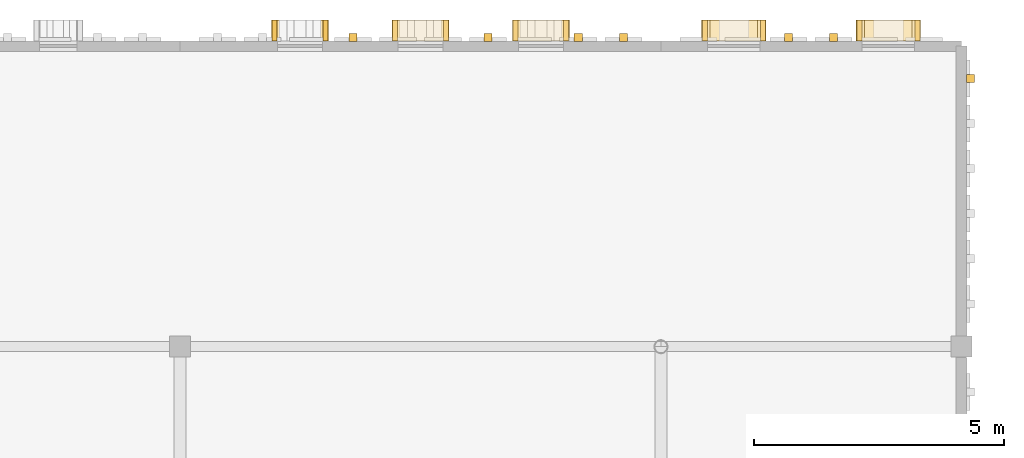
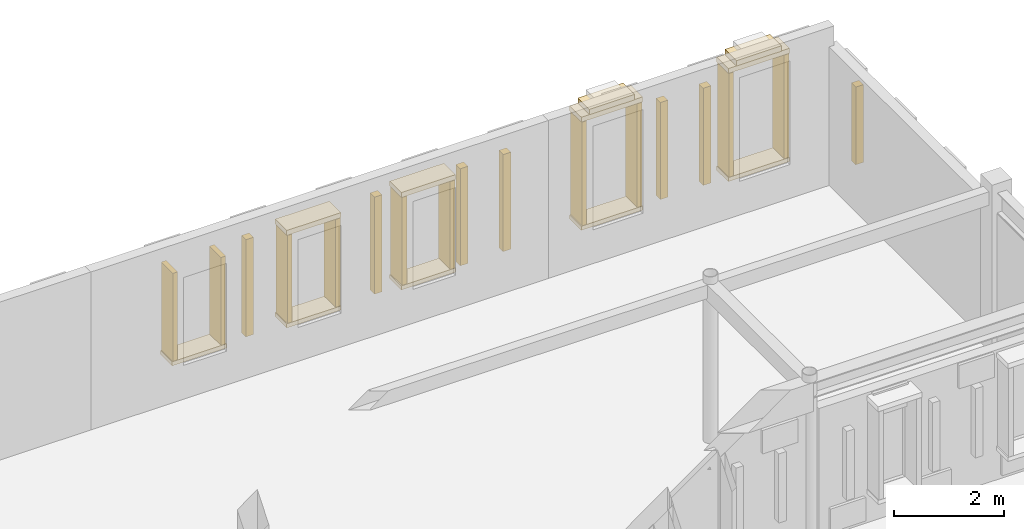
# One storey, part 23 of 25: 28 coverings.
"""IFC4 building model written with IfcOpenShell, lengths in metres."""

from ifc_helpers import new_model, si_unit, direction, frame, origin, origin_2d, place, context, subcontext, project, spatial, rectangle, extrude, material, layer, layer_set, type_object, element, save


model = new_model("IFC4")

# Units and contexts
model_context = context("Model", 3, precision=1e-05, world=origin(), true_north=direction((0.0, 1.0)))
body_context = subcontext(model_context, "Body", "Model", "MODEL_VIEW")
ifc_project = project(units=[si_unit("LENGTHUNIT", "METRE"), si_unit("AREAUNIT", "SQUARE_METRE"), si_unit("VOLUMEUNIT", "CUBIC_METRE"), si_unit("PLANEANGLEUNIT", "RADIAN"), si_unit("MASSUNIT", "GRAM", prefix="KILO")], contexts=[model_context])

# Site, building, storey
site_placement = place(None, origin())
site = spatial("IfcSite", under=ifc_project, at=site_placement, CompositionType="ELEMENT")
building_placement = place(site_placement, origin())
building = spatial("IfcBuilding", under=site, at=building_placement, Name="Nzembalo Square Collegiate School", CompositionType="ELEMENT")
storey_placement = place(building_placement, frame((0.0, 0.0, 21.080078125)))
storey = spatial("IfcBuildingStorey", under=building, at=storey_placement, Name="L05", CompositionType="ELEMENT", Elevation=21.080078125)

# Coverings
ifc_material_1 = material(Name="Glazed ochre ceramic lancet rib")
ifc_layer_1 = layer(ifc_material_1, 0.159912109375, Name="Glazed ochre ceramic lancet rib")
ifc_layer_set_1 = layer_set([ifc_layer_1], Name="Glazed ochre ceramic lancet rib")
covering_type_1 = type_object("IfcCoveringType", Name="CL02", PredefinedType="CLADDING", material=ifc_layer_set_1)
for number, where, z_axis, x_axis, name in (
    (1, (153.449951171875, 88.9775390625, 0.759765625), (0.0, 0.0, 1.0), (1.0, 0.0, 0.0), "Gothic ceramic rib CL02-X0297-3"),
    (2, (156.14990234375, 88.9775390625, 0.759765625), (0.0, 0.0, 1.0), (1.0, 0.0, 0.0), "Gothic ceramic rib CL02-X0297-6"),
    (3, (157.949951171875, 88.9775390625, 0.759765625), (0.0, 0.0, 1.0), (1.0, 0.0, 0.0), "Gothic ceramic rib CL02-X0297-8"),
    (4, (158.85009765625, 88.9775390625, 0.759765625), (0.0, 0.0, 1.0), (1.0, 0.0, 0.0), "Gothic ceramic rib CL02-X0297-9"),
    (5, (162.14990234375, 88.9775390625, 0.759765625), (0.0, 0.0, 1.0), (1.0, 0.0, 0.0), "Gothic ceramic rib CL02-X0298-2"),
    (6, (163.050048828125, 88.9775390625, 0.759765625), (0.0, 0.0, 1.0), (1.0, 0.0, 0.0), "Gothic ceramic rib CL02-X0298-3"),
):
    element("IfcCovering", number, at=place(storey_placement, frame(where, z_axis=z_axis, x_axis=x_axis)), inside=storey, type_object=covering_type_1, Name=name, PredefinedType="CLADDING", context=body_context, shape_type="SweptSolid", body=[
        extrude(rectangle(XDim=0.159912109375, YDim=0.159912109375, at=origin_2d()), origin(), (0.0, 0.0, 1.0), 2.154052734375),
    ])
covering_1_placement = place(storey_placement, frame((165.777587890625, 88.156005859375, 0.759765625), z_axis=(0.0, 0.0, 1.0), x_axis=(1.0, 0.0, 0.0)))
element("IfcCovering", 7, at=covering_1_placement, inside=storey, type_object=covering_type_1, Name="Gothic ceramic rib CL02-Y0300-5", PredefinedType="CLADDING", context=body_context, shape_type="SweptSolid", body=[
    extrude(rectangle(XDim=0.159912109375, YDim=0.159912109375, at=origin_2d()), origin(), (0.0, 0.0, 1.0), 1.72412109375),
])
ifc_material_2 = material(Name="Glazed celadon ceramic window frame")
ifc_layer_2 = layer(ifc_material_2, 0.419921875, Name="Glazed celadon ceramic window frame")
ifc_layer_set_2 = layer_set([ifc_layer_2], Name="Glazed celadon ceramic window frame")
covering_type_2 = type_object("IfcCoveringType", Name="WF01", PredefinedType="CLADDING", material=ifc_layer_set_2)
covering_2_placement = place(storey_placement, frame((152.39501953125, 89.112548828125, 0.65478515625), z_axis=(0.0, 0.0, 1.0), x_axis=(1.0, 0.0, 0.0)))
element("IfcCovering", 8, at=covering_2_placement, inside=storey, type_object=covering_type_2, Name="Deep lancet window sill WF01-1117", PredefinedType="CLADDING", context=body_context, shape_type="SweptSolid", body=[
    extrude(rectangle(XDim=1.139892578125, YDim=0.419921875, at=origin_2d()), origin(), (0.0, 0.0, 1.0), 0.090087890625),
])
for number, where, z_axis, x_axis, name in (
    (9, (151.889892578125, 89.112548828125, 0.75), (0.0, 0.0, 1.0), (1.0, 0.0, 0.0), "Deep lancet window jamb WF01-1117L"),
    (10, (152.89990234375, 89.112548828125, 0.75), (0.0, 0.0, 1.0), (1.0, 0.0, 0.0), "Deep lancet window jamb WF01-1117R"),
):
    element("IfcCovering", number, at=place(storey_placement, frame(where, z_axis=z_axis, x_axis=x_axis)), inside=storey, type_object=covering_type_2, Name=name, PredefinedType="CLADDING", context=body_context, shape_type="SweptSolid", body=[
        extrude(rectangle(XDim=0.10009765625, YDim=0.419921875, at=origin_2d()), origin(), (0.0, 0.0, 1.0), 1.949951171875),
    ])
covering_3_placement = place(storey_placement, frame((154.800048828125, 89.112548828125, 2.705078125), z_axis=(0.0, 0.0, 1.0), x_axis=(1.0, 0.0, 0.0)))
element("IfcCovering", 11, at=covering_3_placement, inside=storey, type_object=covering_type_2, Name="Deep lancet window hood WF01-1118", PredefinedType="CLADDING", context=body_context, shape_type="SweptSolid", body=[
    extrude(rectangle(XDim=1.139892578125, YDim=0.419921875, at=origin_2d()), origin(), (0.0, 0.0, 1.0), 0.110107421875),
])
covering_4_placement = place(storey_placement, frame((154.800048828125, 89.112548828125, 0.65478515625), z_axis=(0.0, 0.0, 1.0), x_axis=(1.0, 0.0, 0.0)))
element("IfcCovering", 12, at=covering_4_placement, inside=storey, type_object=covering_type_2, Name="Deep lancet window sill WF01-1118", PredefinedType="CLADDING", context=body_context, shape_type="SweptSolid", body=[
    extrude(rectangle(XDim=1.139892578125, YDim=0.419921875, at=origin_2d()), origin(), (0.0, 0.0, 1.0), 0.090087890625),
])
for number, where, z_axis, x_axis, name in (
    (13, (154.294921875, 89.112548828125, 0.75), (0.0, 0.0, 1.0), (1.0, 0.0, 0.0), "Deep lancet window jamb WF01-1118L"),
    (14, (155.304931640625, 89.112548828125, 0.75), (0.0, 0.0, 1.0), (1.0, 0.0, 0.0), "Deep lancet window jamb WF01-1118R"),
):
    element("IfcCovering", number, at=place(storey_placement, frame(where, z_axis=z_axis, x_axis=x_axis)), inside=storey, type_object=covering_type_2, Name=name, PredefinedType="CLADDING", context=body_context, shape_type="SweptSolid", body=[
        extrude(rectangle(XDim=0.10009765625, YDim=0.419921875, at=origin_2d()), origin(), (0.0, 0.0, 1.0), 1.949951171875),
    ])
covering_5_placement = place(storey_placement, frame((157.205078125, 89.112548828125, 2.705078125), z_axis=(0.0, 0.0, 1.0), x_axis=(1.0, 0.0, 0.0)))
element("IfcCovering", 15, at=covering_5_placement, inside=storey, type_object=covering_type_2, Name="Deep lancet window hood WF01-1119", PredefinedType="CLADDING", context=body_context, shape_type="SweptSolid", body=[
    extrude(rectangle(XDim=1.139892578125, YDim=0.419921875, at=origin_2d()), origin(), (0.0, 0.0, 1.0), 0.110107421875),
])
covering_6_placement = place(storey_placement, frame((157.205078125, 89.112548828125, 0.65478515625), z_axis=(0.0, 0.0, 1.0), x_axis=(1.0, 0.0, 0.0)))
element("IfcCovering", 16, at=covering_6_placement, inside=storey, type_object=covering_type_2, Name="Deep lancet window sill WF01-1119", PredefinedType="CLADDING", context=body_context, shape_type="SweptSolid", body=[
    extrude(rectangle(XDim=1.139892578125, YDim=0.419921875, at=origin_2d()), origin(), (0.0, 0.0, 1.0), 0.090087890625),
])
for number, where, z_axis, x_axis, name in (
    (17, (156.699951171875, 89.112548828125, 0.75), (0.0, 0.0, 1.0), (1.0, 0.0, 0.0), "Deep lancet window jamb WF01-1119L"),
    (18, (157.7099609375, 89.112548828125, 0.75), (0.0, 0.0, 1.0), (1.0, 0.0, 0.0), "Deep lancet window jamb WF01-1119R"),
):
    element("IfcCovering", number, at=place(storey_placement, frame(where, z_axis=z_axis, x_axis=x_axis)), inside=storey, type_object=covering_type_2, Name=name, PredefinedType="CLADDING", context=body_context, shape_type="SweptSolid", body=[
        extrude(rectangle(XDim=0.10009765625, YDim=0.419921875, at=origin_2d()), origin(), (0.0, 0.0, 1.0), 1.949951171875),
    ])
covering_7_placement = place(storey_placement, frame((161.0576171875, 89.112548828125, 3.0546875), z_axis=(0.0, 0.0, 1.0), x_axis=(1.0, 0.0, 0.0)))
element("IfcCovering", 19, at=covering_7_placement, inside=storey, type_object=covering_type_2, Name="Deep lancet window hood WF01-1120", PredefinedType="CLADDING", context=body_context, shape_type="SweptSolid", body=[
    extrude(rectangle(XDim=1.2900390625, YDim=0.419921875, at=origin_2d()), origin(), (0.0, 0.0, 1.0), 0.110107421875),
])
covering_8_placement = place(storey_placement, frame((161.0576171875, 89.112548828125, 3.159912109375), z_axis=(0.0, 0.0, 1.0), x_axis=(1.0, 0.0, 0.0)))
element("IfcCovering", 20, at=covering_8_placement, inside=storey, type_object=covering_type_2, Name="Pointed lancet gable WF01-1120-1", PredefinedType="CLADDING", context=body_context, shape_type="SweptSolid", body=[
    extrude(rectangle(XDim=0.949951171875, YDim=0.419921875, at=origin_2d()), origin(), (0.0, 0.0, 1.0), 0.1201171875),
])
covering_9_placement = place(storey_placement, frame((161.0576171875, 89.112548828125, 0.65478515625), z_axis=(0.0, 0.0, 1.0), x_axis=(1.0, 0.0, 0.0)))
element("IfcCovering", 21, at=covering_9_placement, inside=storey, type_object=covering_type_2, Name="Deep lancet window sill WF01-1120", PredefinedType="CLADDING", context=body_context, shape_type="SweptSolid", body=[
    extrude(rectangle(XDim=1.2900390625, YDim=0.419921875, at=origin_2d()), origin(), (0.0, 0.0, 1.0), 0.090087890625),
])
for number, where, z_axis, x_axis, name in (
    (22, (160.4775390625, 89.112548828125, 0.75), (0.0, 0.0, 1.0), (1.0, 0.0, 0.0), "Deep lancet window jamb WF01-1120L"),
    (23, (161.637451171875, 89.112548828125, 0.75), (0.0, 0.0, 1.0), (1.0, 0.0, 0.0), "Deep lancet window jamb WF01-1120R"),
):
    element("IfcCovering", number, at=place(storey_placement, frame(where, z_axis=z_axis, x_axis=x_axis)), inside=storey, type_object=covering_type_2, Name=name, PredefinedType="CLADDING", context=body_context, shape_type="SweptSolid", body=[
        extrude(rectangle(XDim=0.10009765625, YDim=0.419921875, at=origin_2d()), origin(), (0.0, 0.0, 1.0), 2.300048828125),
    ])
covering_10_placement = place(storey_placement, frame((164.142578125, 89.112548828125, 3.0546875), z_axis=(0.0, 0.0, 1.0), x_axis=(1.0, 0.0, 0.0)))
element("IfcCovering", 24, at=covering_10_placement, inside=storey, type_object=covering_type_2, Name="Deep lancet window hood WF01-1121", PredefinedType="CLADDING", context=body_context, shape_type="SweptSolid", body=[
    extrude(rectangle(XDim=1.2900390625, YDim=0.419921875, at=origin_2d()), origin(), (0.0, 0.0, 1.0), 0.110107421875),
])
covering_11_placement = place(storey_placement, frame((164.142578125, 89.112548828125, 3.159912109375), z_axis=(0.0, 0.0, 1.0), x_axis=(1.0, 0.0, 0.0)))
element("IfcCovering", 25, at=covering_11_placement, inside=storey, type_object=covering_type_2, Name="Pointed lancet gable WF01-1121-1", PredefinedType="CLADDING", context=body_context, shape_type="SweptSolid", body=[
    extrude(rectangle(XDim=0.949951171875, YDim=0.419921875, at=origin_2d()), origin(), (0.0, 0.0, 1.0), 0.1201171875),
])
covering_12_placement = place(storey_placement, frame((164.142578125, 89.112548828125, 0.65478515625), z_axis=(0.0, 0.0, 1.0), x_axis=(1.0, 0.0, 0.0)))
element("IfcCovering", 26, at=covering_12_placement, inside=storey, type_object=covering_type_2, Name="Deep lancet window sill WF01-1121", PredefinedType="CLADDING", context=body_context, shape_type="SweptSolid", body=[
    extrude(rectangle(XDim=1.2900390625, YDim=0.419921875, at=origin_2d()), origin(), (0.0, 0.0, 1.0), 0.090087890625),
])
for number, where, z_axis, x_axis, name in (
    (27, (163.5625, 89.112548828125, 0.75), (0.0, 0.0, 1.0), (1.0, 0.0, 0.0), "Deep lancet window jamb WF01-1121L"),
    (28, (164.722412109375, 89.112548828125, 0.75), (0.0, 0.0, 1.0), (1.0, 0.0, 0.0), "Deep lancet window jamb WF01-1121R"),
):
    element("IfcCovering", number, at=place(storey_placement, frame(where, z_axis=z_axis, x_axis=x_axis)), inside=storey, type_object=covering_type_2, Name=name, PredefinedType="CLADDING", context=body_context, shape_type="SweptSolid", body=[
        extrude(rectangle(XDim=0.10009765625, YDim=0.419921875, at=origin_2d()), origin(), (0.0, 0.0, 1.0), 2.300048828125),
    ])

save(model, "model.ifc")
